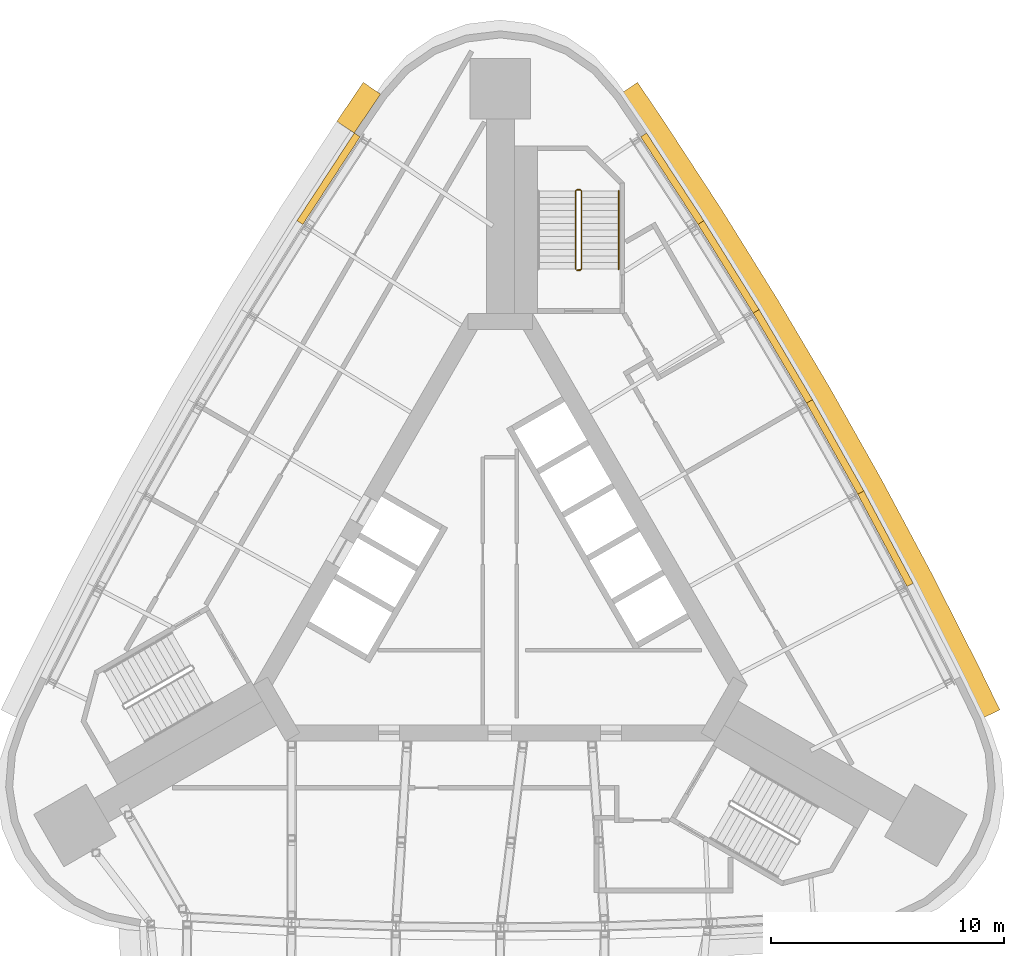
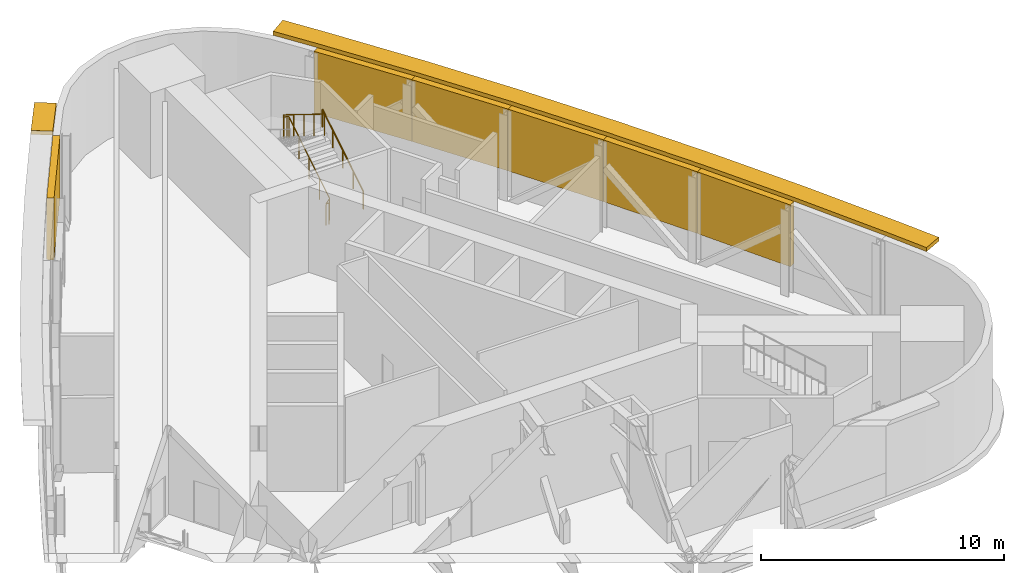
# One storey, part 10 of 10: 8 shading devices, 2 railings.
"""IFC4 building model written with IfcOpenShell, lengths in metres."""

from ifc_helpers import new_model, si_unit, direction, frame, origin, origin_2d, place, context, subcontext, project, spatial, polyline, circle, outline, extrude, material, type_object, element, save


model = new_model("IFC4")

# Units and contexts
model_context = context("Model", 3, precision=1e-05, world=origin(), true_north=direction((0.0, 1.0)))
body_context = subcontext(model_context, "Body", "Model", "MODEL_VIEW")
ifc_project = project(units=[si_unit("LENGTHUNIT", "METRE"), si_unit("AREAUNIT", "SQUARE_METRE"), si_unit("VOLUMEUNIT", "CUBIC_METRE"), si_unit("PLANEANGLEUNIT", "RADIAN"), si_unit("MASSUNIT", "GRAM", prefix="KILO")], contexts=[model_context])

# Site, building, storey
site_placement = place(None, origin())
site = spatial("IfcSite", under=ifc_project, at=site_placement, CompositionType="ELEMENT")
building_placement = place(site_placement, origin())
building = spatial("IfcBuilding", under=site, at=building_placement, Name="Noor Cloister Tower", CompositionType="ELEMENT")
storey_placement = place(building_placement, frame((0.0, 0.0, 210.300048828125)))
storey = spatial("IfcBuildingStorey", under=building, at=storey_placement, Name="L54", CompositionType="ELEMENT", Elevation=210.300048828125)

# Shading devices
ifc_material_1 = material(Name="Aluminium 6063-T6 anodised", Category="aluminium")
shading_device_type_1 = type_object("IfcShadingDeviceType", Name="LOUVRE plant air 40 percent free", PredefinedType="USERDEFINED", material=ifc_material_1)
shading_device_1_placement = place(storey_placement, frame((0.0, 0.0, 1.199951171875)))
element("IfcShadingDevice", 1, at=shading_device_1_placement, inside=storey, type_object=shading_device_type_1, Name="LOUVRE L54 1.1", ObjectType="LOUVRE", PredefinedType="USERDEFINED", context=body_context, shape_type="SweptSolid", body=[
    extrude(outline(polyline([(-6.2822265625, 19.2041015625), (-8.744140625, 15.437255859375), (-8.492919921875, 15.273193359375), (-6.031005859375, 19.039794921875), (-6.2822265625, 19.2041015625)])), origin(), (0.0, 0.0, 1.0), 3.10009765625),
])
shading_device_2_placement = place(storey_placement, frame((0.0, 0.0, 1.199951171875)))
element("IfcShadingDevice", 2, at=shading_device_2_placement, inside=storey, type_object=shading_device_type_1, Name="LOUVRE L54 4.2", ObjectType="LOUVRE", PredefinedType="USERDEFINED", context=body_context, shape_type="SweptSolid", body=[
    extrude(outline(polyline([(17.7412109375, -0.14599609375), (15.621826171875, 3.823486328125), (15.357177734375, 3.682373046875), (17.4765625, -0.287353515625), (17.7412109375, -0.14599609375)])), origin(), (0.0, 0.0, 1.0), 3.10009765625),
])
shading_device_3_placement = place(storey_placement, frame((0.0, 0.0, 1.199951171875)))
element("IfcShadingDevice", 3, at=shading_device_3_placement, inside=storey, type_object=shading_device_type_1, Name="LOUVRE L54 4.3", ObjectType="LOUVRE", PredefinedType="USERDEFINED", context=body_context, shape_type="SweptSolid", body=[
    extrude(outline(polyline([(15.621826171875, 3.823486328125), (13.415283203125, 7.745361328125), (13.15380859375, 7.59814453125), (15.3603515625, 3.676513671875), (15.621826171875, 3.823486328125)])), origin(), (0.0, 0.0, 1.0), 3.10009765625),
])
shading_device_4_placement = place(storey_placement, frame((0.0, 0.0, 1.199951171875)))
element("IfcShadingDevice", 4, at=shading_device_4_placement, inside=storey, type_object=shading_device_type_1, Name="LOUVRE L54 4.4", ObjectType="LOUVRE", PredefinedType="USERDEFINED", context=body_context, shape_type="SweptSolid", body=[
    extrude(outline(polyline([(13.415283203125, 7.745361328125), (11.122314453125, 11.6171875), (10.864013671875, 11.46435546875), (13.156982421875, 7.59228515625), (13.415283203125, 7.745361328125)])), origin(), (0.0, 0.0, 1.0), 3.10009765625),
])
shading_device_5_placement = place(storey_placement, frame((0.0, 0.0, 1.199951171875)))
element("IfcShadingDevice", 5, at=shading_device_5_placement, inside=storey, type_object=shading_device_type_1, Name="LOUVRE L54 4.5", ObjectType="LOUVRE", PredefinedType="USERDEFINED", context=body_context, shape_type="SweptSolid", body=[
    extrude(outline(polyline([(11.122314453125, 11.6171875), (8.744140625, 15.437255859375), (8.489501953125, 15.27880859375), (10.867431640625, 11.45849609375), (11.122314453125, 11.6171875)])), origin(), (0.0, 0.0, 1.0), 3.10009765625),
])
shading_device_6_placement = place(storey_placement, frame((0.0, 0.0, 1.199951171875)))
element("IfcShadingDevice", 6, at=shading_device_6_placement, inside=storey, type_object=shading_device_type_1, Name="LOUVRE L54 4.6", ObjectType="LOUVRE", PredefinedType="USERDEFINED", context=body_context, shape_type="SweptSolid", body=[
    extrude(outline(polyline([(8.744140625, 15.437255859375), (6.2822265625, 19.2041015625), (6.031005859375, 19.039794921875), (8.492919921875, 15.273193359375), (8.744140625, 15.437255859375)])), origin(), (0.0, 0.0, 1.0), 3.10009765625),
])
ifc_material_2 = material(Name="Limestone", Category="masonry")
shading_device_type_2 = type_object("IfcShadingDeviceType", Name="SUNSHADE limestone band 900", PredefinedType="USERDEFINED", material=ifc_material_2)
shading_device_7_placement = place(storey_placement, frame((0.0, 0.0, 4.300048828125)))
element("IfcShadingDevice", 7, at=shading_device_7_placement, inside=storey, type_object=shading_device_type_2, Name="SUNSHADE L54 3", ObjectType="SUNSHADE", PredefinedType="USERDEFINED", context=body_context, shape_type="SweptSolid", body=[
    extrude(outline(polyline([(21.46533203125, -5.587158203125), (20.57861328125, -3.76171875), (18.539794921875, 0.26904296875), (16.4111328125, 4.256103515625), (14.194580078125, 8.1953125), (11.8916015625, 12.084228515625), (9.5029296875, 15.92138671875), (7.031494140625, 19.702392578125), (5.89404296875, 21.38330078125), (5.148681640625, 20.87890625), (6.2822265625, 19.2041015625), (8.744140625, 15.437255859375), (11.122314453125, 11.6171875), (13.415283203125, 7.745361328125), (15.621826171875, 3.823486328125), (17.7412109375, -0.14599609375), (19.772216796875, -4.16162109375), (20.65576171875, -5.98046875), (21.46533203125, -5.587158203125)])), origin(), (0.0, 0.0, 1.0), 0.199951171875),
])
shading_device_8_placement = place(storey_placement, frame((0.0, 0.0, 4.300048828125)))
element("IfcShadingDevice", 8, at=shading_device_8_placement, inside=storey, type_object=shading_device_type_2, Name="SUNSHADE L54 4", ObjectType="SUNSHADE", PredefinedType="USERDEFINED", context=body_context, shape_type="SweptSolid", body=[
    extrude(outline(polyline([(-5.89404296875, 21.38330078125), (-7.02734375, 19.70849609375), (-6.2822265625, 19.2041015625), (-5.148681640625, 20.87890625), (-5.89404296875, 21.38330078125)])), origin(), (0.0, 0.0, 1.0), 0.199951171875),
])

# Railings
ifc_material_3 = material(Name="Stainless steel", Category="steel")
railing_type_1 = type_object("IfcRailingType", Name="Stair guard 1100", PredefinedType="GUARDRAIL", material=ifc_material_3)
railing_1_placement = place(storey_placement, frame((3.435546875, 13.306396484375, 0.0)))
element("IfcRailing", 9, at=railing_1_placement, inside=storey, type_object=railing_type_1, Name="Stair guard ST1 L54", PredefinedType="GUARDRAIL", context=body_context, shape_type="SweptSolid", body=[
    extrude(circle(Radius=0.02392578125, at=origin_2d()), frame((0.0, 0.0, 1.076171875), z_axis=(-1.0, 0.0, 0.0), x_axis=(0.0, -1.0, 0.0)), (0.0, 0.0, 1.0), 0.14990234375),
    extrude(circle(Radius=0.02392578125, at=origin_2d()), frame((-0.14990234375, 0.0, 1.076171875), z_axis=(0.742869136974, 0.185944045274, 0.643094283413), x_axis=(-0.242814311512, 0.970072785993, 0.0)), (0.0, 0.0, 1.0), 0.26904296875),
    extrude(circle(Radius=0.02392578125, at=origin_2d()), frame((0.050048828125, 0.050048828125, 1.2490234375), z_axis=(0.0, 0.850606129759, 0.525803396734), x_axis=(-1.0, 0.0, 0.0)), (0.0, 0.0, 1.0), 3.949951171875),
    extrude(circle(Radius=0.02392578125, at=origin_2d()), frame((0.050048828125, 3.409912109375, 3.326171875), z_axis=(-0.707106781187, 0.707106781187, 0.0), x_axis=(-0.707106781187, -0.707106781187, 0.0)), (0.0, 0.0, 1.0), 0.07080078125),
    extrude(circle(Radius=0.02392578125, at=origin_2d()), frame((0.0, 3.4599609375, 3.326171875), z_axis=(-1.0, 0.0, 0.0), x_axis=(0.0, -1.0, 0.0)), (0.0, 0.0, 1.0), 0.14990234375),
    extrude(circle(Radius=0.02392578125, at=origin_2d()), frame((-0.14990234375, 3.4599609375, 3.326171875), z_axis=(-0.267629722418, -0.267629722418, 0.925607186314), x_axis=(0.707106781187, -0.707106781187, 0.0)), (0.0, 0.0, 1.0), 0.18701171875),
    extrude(circle(Radius=0.02392578125, at=origin_2d()), frame((-0.199951171875, 3.409912109375, 3.4990234375), z_axis=(0.0, -0.850606129759, 0.525803396734), x_axis=(1.0, 0.0, 0.0)), (0.0, 0.0, 1.0), 3.949951171875),
    extrude(circle(Radius=0.02099609375, at=origin_2d()), origin(), (0.0, 0.0, 1.0), 1.052001953125),
    extrude(circle(Radius=0.02099609375, at=origin_2d()), frame((-0.14990234375, 0.0, 0.0)), (0.0, 0.0, 1.0), 1.052001953125),
    extrude(circle(Radius=0.02099609375, at=origin_2d()), frame((0.050048828125, 0.050048828125, 0.173095703125)), (0.0, 0.0, 1.0), 1.052001953125),
    extrude(circle(Radius=0.02099609375, at=origin_2d()), frame((0.050048828125, 0.89013671875, 0.6923828125)), (0.0, 0.0, 1.0), 1.052001953125),
    extrude(circle(Radius=0.02099609375, at=origin_2d()), frame((0.050048828125, 1.72998046875, 1.21142578125)), (0.0, 0.0, 1.0), 1.052001953125),
    extrude(circle(Radius=0.02099609375, at=origin_2d()), frame((0.050048828125, 2.56982421875, 1.730712890625)), (0.0, 0.0, 1.0), 1.052001953125),
    extrude(circle(Radius=0.02099609375, at=origin_2d()), frame((0.050048828125, 3.409912109375, 2.25)), (0.0, 0.0, 1.0), 1.052001953125),
    extrude(circle(Radius=0.02099609375, at=origin_2d()), frame((0.0, 3.4599609375, 2.25)), (0.0, 0.0, 1.0), 1.052001953125),
    extrude(circle(Radius=0.02099609375, at=origin_2d()), frame((-0.14990234375, 3.4599609375, 2.25)), (0.0, 0.0, 1.0), 1.052001953125),
    extrude(circle(Radius=0.02099609375, at=origin_2d()), frame((-0.199951171875, 3.409912109375, 2.423095703125)), (0.0, 0.0, 1.0), 1.052001953125),
    extrude(circle(Radius=0.02099609375, at=origin_2d()), frame((-0.199951171875, 2.56982421875, 2.9423828125)), (0.0, 0.0, 1.0), 1.052001953125),
    extrude(circle(Radius=0.02099609375, at=origin_2d()), frame((-0.199951171875, 1.72998046875, 3.46142578125)), (0.0, 0.0, 1.0), 1.052001953125),
    extrude(circle(Radius=0.02099609375, at=origin_2d()), frame((-0.199951171875, 0.89013671875, 3.980712890625)), (0.0, 0.0, 1.0), 1.052001953125),
    extrude(circle(Radius=0.02099609375, at=origin_2d()), frame((-0.199951171875, 0.050048828125, 4.5)), (0.0, 0.0, 1.0), 1.052001953125),
])
ifc_material_4 = material(Name="Stainless steel", Category="steel")
railing_type_2 = type_object("IfcRailingType", Name="Stair handrail 900", PredefinedType="HANDRAIL", material=ifc_material_4)
railing_2_placement = place(storey_placement, frame((5.085693359375, 13.3564453125, 0.173095703125)))
element("IfcRailing", 10, at=railing_2_placement, inside=storey, type_object=railing_type_2, Name="Stair handrail ST1 L54 1", PredefinedType="HANDRAIL", context=body_context, shape_type="SweptSolid", body=[
    extrude(circle(Radius=0.02392578125, at=origin_2d()), frame((0.0, 0.0, 0.8759765625), z_axis=(0.0, 0.850606129759, 0.525803396734), x_axis=(-1.0, 0.0, 0.0)), (0.0, 0.0, 1.0), 3.949951171875),
    extrude(circle(Radius=0.02099609375, at=origin_2d()), origin(), (0.0, 0.0, 1.0), 0.851806640625),
    extrude(circle(Radius=0.02099609375, at=origin_2d()), frame((0.0, 0.83984375, 0.519287109375)), (0.0, 0.0, 1.0), 0.851806640625),
    extrude(circle(Radius=0.02099609375, at=origin_2d()), frame((0.0, 1.679931640625, 1.03857421875)), (0.0, 0.0, 1.0), 0.851806640625),
    extrude(circle(Radius=0.02099609375, at=origin_2d()), frame((0.0, 2.52001953125, 1.5576171875)), (0.0, 0.0, 1.0), 0.851806640625),
    extrude(circle(Radius=0.02099609375, at=origin_2d()), frame((0.0, 3.35986328125, 2.076904296875)), (0.0, 0.0, 1.0), 0.851806640625),
])

save(model, "model.ifc")
